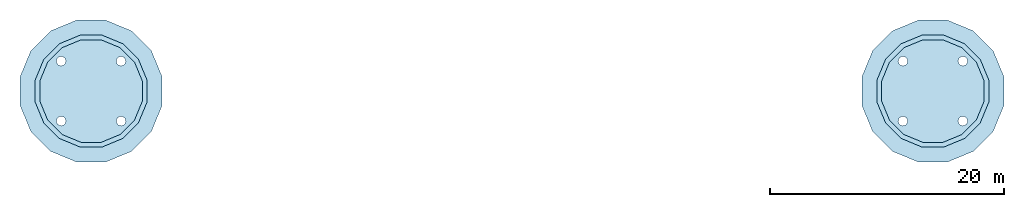
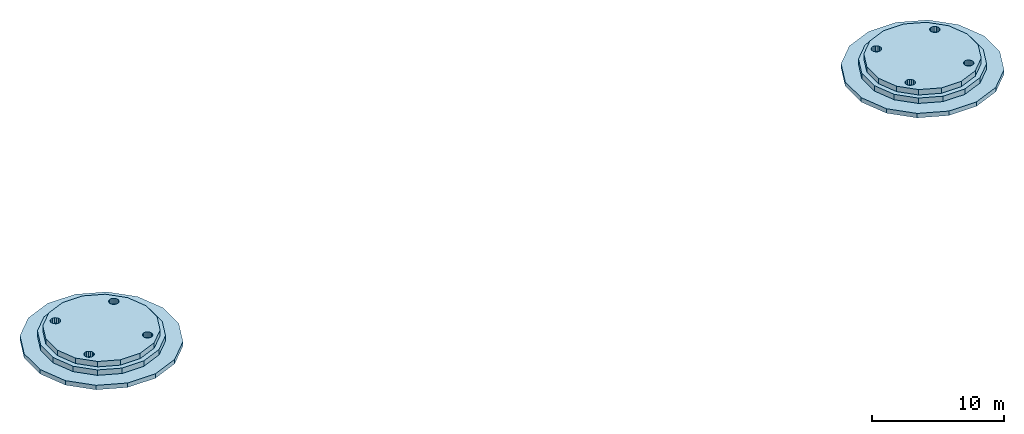
# One storey: 6 slabs.
"""IFC4 building model written with IfcOpenShell, lengths in metres."""

from ifc_helpers import new_model, si_unit, direction, frame, origin, place, context, subcontext, project, spatial, polyline, outline, extrude, material, layer, layer_set, type_object, element, save


model = new_model("IFC4")

# Units and contexts
model_context = context("Model", 3, precision=1e-05, world=origin(), true_north=direction((0.0, 1.0)))
body_context = subcontext(model_context, "Body", "Model", "MODEL_VIEW")
ifc_project = project(units=[si_unit("LENGTHUNIT", "METRE"), si_unit("AREAUNIT", "SQUARE_METRE"), si_unit("VOLUMEUNIT", "CUBIC_METRE"), si_unit("PLANEANGLEUNIT", "RADIAN"), si_unit("MASSUNIT", "GRAM", prefix="KILO")], contexts=[model_context])

# Site, building, storey
site_placement = place(None, origin())
site = spatial("IfcSite", under=ifc_project, at=site_placement, CompositionType="ELEMENT")
building_placement = place(site_placement, origin())
building = spatial("IfcBuilding", under=site, at=building_placement, Name="Ipe Terrace Towers", CompositionType="ELEMENT")
storey_placement = place(building_placement, frame((0.0, 0.0, 272.89990234375)))
storey = spatial("IfcBuildingStorey", under=building, at=storey_placement, Name="Roof crown", CompositionType="ELEMENT", Elevation=272.89990234375)

# Slabs
ifc_material_1 = material(Name="Concrete C30/37", Category="concrete")
ifc_layer_1 = layer(ifc_material_1, 0.409912109375)
ifc_layer_set_1 = layer_set([ifc_layer_1], Name="DRUM ROOF SLAB 410")
slab_type_1 = type_object("IfcSlabType", Name="DRUM ROOF SLAB 410", PredefinedType="ROOF", material=ifc_layer_set_1)
slab_1_placement = place(storey_placement, frame((0.0, 0.0, -0.2998046875)))
element("IfcSlab", 1, at=slab_1_placement, inside=storey, type_object=slab_type_1, Name="T1 drum roof slab", PredefinedType="ROOF", context=body_context, shape_type="SweptSolid", body=[
    extrude(outline(polyline([(-29.9189453125, 1.2099609375), (-30.844970703125, 3.445068359375), (-32.554931640625, 5.155029296875), (-34.7900390625, 6.0810546875), (-37.2099609375, 6.0810546875), (-39.445068359375, 5.155029296875), (-41.155029296875, 3.445068359375), (-42.0810546875, 1.2099609375), (-42.0810546875, -1.2099609375), (-41.155029296875, -3.445068359375), (-39.445068359375, -5.155029296875), (-37.2099609375, -6.0810546875), (-34.7900390625, -6.0810546875), (-32.554931640625, -5.155029296875), (-30.844970703125, -3.445068359375), (-29.9189453125, -1.2099609375), (-29.9189453125, 1.2099609375)]), holes=[polyline([(-38.157958984375, -2.56298828125), (-38.18896484375, -2.407958984375), (-38.277099609375, -2.277099609375), (-38.407958984375, -2.18896484375), (-38.56298828125, -2.157958984375), (-38.718017578125, -2.18896484375), (-38.84912109375, -2.277099609375), (-38.93701171875, -2.407958984375), (-38.968017578125, -2.56298828125), (-38.93701171875, -2.718017578125), (-38.84912109375, -2.84912109375), (-38.718017578125, -2.93701171875), (-38.56298828125, -2.968017578125), (-38.407958984375, -2.93701171875), (-38.277099609375, -2.84912109375), (-38.18896484375, -2.718017578125), (-38.157958984375, -2.56298828125)]), polyline([(-38.157958984375, 2.56298828125), (-38.18896484375, 2.718017578125), (-38.277099609375, 2.84912109375), (-38.407958984375, 2.93701171875), (-38.56298828125, 2.968017578125), (-38.718017578125, 2.93701171875), (-38.84912109375, 2.84912109375), (-38.93701171875, 2.718017578125), (-38.968017578125, 2.56298828125), (-38.93701171875, 2.407958984375), (-38.84912109375, 2.277099609375), (-38.718017578125, 2.18896484375), (-38.56298828125, 2.157958984375), (-38.407958984375, 2.18896484375), (-38.277099609375, 2.277099609375), (-38.18896484375, 2.407958984375), (-38.157958984375, 2.56298828125)]), polyline([(-33.031982421875, -2.56298828125), (-33.06298828125, -2.407958984375), (-33.15087890625, -2.277099609375), (-33.281982421875, -2.18896484375), (-33.43701171875, -2.157958984375), (-33.592041015625, -2.18896484375), (-33.722900390625, -2.277099609375), (-33.81103515625, -2.407958984375), (-33.842041015625, -2.56298828125), (-33.81103515625, -2.718017578125), (-33.722900390625, -2.84912109375), (-33.592041015625, -2.93701171875), (-33.43701171875, -2.968017578125), (-33.281982421875, -2.93701171875), (-33.15087890625, -2.84912109375), (-33.06298828125, -2.718017578125), (-33.031982421875, -2.56298828125)]), polyline([(-33.031982421875, 2.56298828125), (-33.06298828125, 2.718017578125), (-33.15087890625, 2.84912109375), (-33.281982421875, 2.93701171875), (-33.43701171875, 2.968017578125), (-33.592041015625, 2.93701171875), (-33.722900390625, 2.84912109375), (-33.81103515625, 2.718017578125), (-33.842041015625, 2.56298828125), (-33.81103515625, 2.407958984375), (-33.722900390625, 2.277099609375), (-33.592041015625, 2.18896484375), (-33.43701171875, 2.157958984375), (-33.281982421875, 2.18896484375), (-33.15087890625, 2.277099609375), (-33.06298828125, 2.407958984375), (-33.031982421875, 2.56298828125)])]), origin(), (0.0, 0.0, 1.0), 0.409912109375),
])
slab_2_placement = place(storey_placement, frame((0.0, 0.0, -0.2998046875)))
element("IfcSlab", 2, at=slab_2_placement, inside=storey, type_object=slab_type_1, Name="T2 drum roof slab", PredefinedType="ROOF", context=body_context, shape_type="SweptSolid", body=[
    extrude(outline(polyline([(42.0810546875, 1.2099609375), (41.155029296875, 3.445068359375), (39.445068359375, 5.155029296875), (37.2099609375, 6.0810546875), (34.7900390625, 6.0810546875), (32.554931640625, 5.155029296875), (30.844970703125, 3.445068359375), (29.9189453125, 1.2099609375), (29.9189453125, -1.2099609375), (30.844970703125, -3.445068359375), (32.554931640625, -5.155029296875), (34.7900390625, -6.0810546875), (37.2099609375, -6.0810546875), (39.445068359375, -5.155029296875), (41.155029296875, -3.445068359375), (42.0810546875, -1.2099609375), (42.0810546875, 1.2099609375)]), holes=[polyline([(38.968017578125, -2.56298828125), (38.93701171875, -2.407958984375), (38.84912109375, -2.277099609375), (38.718017578125, -2.18896484375), (38.56298828125, -2.157958984375), (38.407958984375, -2.18896484375), (38.277099609375, -2.277099609375), (38.18896484375, -2.407958984375), (38.157958984375, -2.56298828125), (38.18896484375, -2.718017578125), (38.277099609375, -2.84912109375), (38.407958984375, -2.93701171875), (38.56298828125, -2.968017578125), (38.718017578125, -2.93701171875), (38.84912109375, -2.84912109375), (38.93701171875, -2.718017578125), (38.968017578125, -2.56298828125)]), polyline([(33.842041015625, -2.56298828125), (33.81103515625, -2.407958984375), (33.722900390625, -2.277099609375), (33.592041015625, -2.18896484375), (33.43701171875, -2.157958984375), (33.281982421875, -2.18896484375), (33.15087890625, -2.277099609375), (33.06298828125, -2.407958984375), (33.031982421875, -2.56298828125), (33.06298828125, -2.718017578125), (33.15087890625, -2.84912109375), (33.281982421875, -2.93701171875), (33.43701171875, -2.968017578125), (33.592041015625, -2.93701171875), (33.722900390625, -2.84912109375), (33.81103515625, -2.718017578125), (33.842041015625, -2.56298828125)]), polyline([(38.968017578125, 2.56298828125), (38.93701171875, 2.718017578125), (38.84912109375, 2.84912109375), (38.718017578125, 2.93701171875), (38.56298828125, 2.968017578125), (38.407958984375, 2.93701171875), (38.277099609375, 2.84912109375), (38.18896484375, 2.718017578125), (38.157958984375, 2.56298828125), (38.18896484375, 2.407958984375), (38.277099609375, 2.277099609375), (38.407958984375, 2.18896484375), (38.56298828125, 2.157958984375), (38.718017578125, 2.18896484375), (38.84912109375, 2.277099609375), (38.93701171875, 2.407958984375), (38.968017578125, 2.56298828125)]), polyline([(33.842041015625, 2.56298828125), (33.81103515625, 2.718017578125), (33.722900390625, 2.84912109375), (33.592041015625, 2.93701171875), (33.43701171875, 2.968017578125), (33.281982421875, 2.93701171875), (33.15087890625, 2.84912109375), (33.06298828125, 2.718017578125), (33.031982421875, 2.56298828125), (33.06298828125, 2.407958984375), (33.15087890625, 2.277099609375), (33.281982421875, 2.18896484375), (33.43701171875, 2.157958984375), (33.592041015625, 2.18896484375), (33.722900390625, 2.277099609375), (33.81103515625, 2.407958984375), (33.842041015625, 2.56298828125)])]), origin(), (0.0, 0.0, 1.0), 0.409912109375),
])
ifc_material_2 = material(Name="Concrete C40/50", Category="concrete")
ifc_layer_2 = layer(ifc_material_2, 0.5)
ifc_layer_set_2 = layer_set([ifc_layer_2], Name="MAST PLINTH 500")
slab_type_2 = type_object("IfcSlabType", Name="MAST PLINTH 500", PredefinedType="ROOF", material=ifc_layer_set_2)
slab_3_placement = place(storey_placement, frame((0.0, 0.0, 0.110107421875)))
element("IfcSlab", 3, at=slab_3_placement, inside=storey, type_object=slab_type_2, Name="mast plinth step", PredefinedType="ROOF", context=body_context, shape_type="SweptSolid", body=[
    extrude(outline(polyline([(-31.220947265625, 0.950927734375), (-31.947998046875, 2.70703125), (-33.29296875, 4.052001953125), (-35.049072265625, 4.779052734375), (-36.950927734375, 4.779052734375), (-38.70703125, 4.052001953125), (-40.052001953125, 2.70703125), (-40.779052734375, 0.950927734375), (-40.779052734375, -0.950927734375), (-40.052001953125, -2.70703125), (-38.70703125, -4.052001953125), (-36.950927734375, -4.779052734375), (-35.049072265625, -4.779052734375), (-33.29296875, -4.052001953125), (-31.947998046875, -2.70703125), (-31.220947265625, -0.950927734375), (-31.220947265625, 0.950927734375)]), holes=[polyline([(-38.157958984375, -2.56298828125), (-38.18896484375, -2.407958984375), (-38.277099609375, -2.277099609375), (-38.407958984375, -2.18896484375), (-38.56298828125, -2.157958984375), (-38.718017578125, -2.18896484375), (-38.84912109375, -2.277099609375), (-38.93701171875, -2.407958984375), (-38.968017578125, -2.56298828125), (-38.93701171875, -2.718017578125), (-38.84912109375, -2.84912109375), (-38.718017578125, -2.93701171875), (-38.56298828125, -2.968017578125), (-38.407958984375, -2.93701171875), (-38.277099609375, -2.84912109375), (-38.18896484375, -2.718017578125), (-38.157958984375, -2.56298828125)]), polyline([(-38.157958984375, 2.56298828125), (-38.18896484375, 2.718017578125), (-38.277099609375, 2.84912109375), (-38.407958984375, 2.93701171875), (-38.56298828125, 2.968017578125), (-38.718017578125, 2.93701171875), (-38.84912109375, 2.84912109375), (-38.93701171875, 2.718017578125), (-38.968017578125, 2.56298828125), (-38.93701171875, 2.407958984375), (-38.84912109375, 2.277099609375), (-38.718017578125, 2.18896484375), (-38.56298828125, 2.157958984375), (-38.407958984375, 2.18896484375), (-38.277099609375, 2.277099609375), (-38.18896484375, 2.407958984375), (-38.157958984375, 2.56298828125)]), polyline([(-33.031982421875, -2.56298828125), (-33.06298828125, -2.407958984375), (-33.15087890625, -2.277099609375), (-33.281982421875, -2.18896484375), (-33.43701171875, -2.157958984375), (-33.592041015625, -2.18896484375), (-33.722900390625, -2.277099609375), (-33.81103515625, -2.407958984375), (-33.842041015625, -2.56298828125), (-33.81103515625, -2.718017578125), (-33.722900390625, -2.84912109375), (-33.592041015625, -2.93701171875), (-33.43701171875, -2.968017578125), (-33.281982421875, -2.93701171875), (-33.15087890625, -2.84912109375), (-33.06298828125, -2.718017578125), (-33.031982421875, -2.56298828125)]), polyline([(-33.031982421875, 2.56298828125), (-33.06298828125, 2.718017578125), (-33.15087890625, 2.84912109375), (-33.281982421875, 2.93701171875), (-33.43701171875, 2.968017578125), (-33.592041015625, 2.93701171875), (-33.722900390625, 2.84912109375), (-33.81103515625, 2.718017578125), (-33.842041015625, 2.56298828125), (-33.81103515625, 2.407958984375), (-33.722900390625, 2.277099609375), (-33.592041015625, 2.18896484375), (-33.43701171875, 2.157958984375), (-33.281982421875, 2.18896484375), (-33.15087890625, 2.277099609375), (-33.06298828125, 2.407958984375), (-33.031982421875, 2.56298828125)])]), origin(), (0.0, 0.0, 1.0), 0.5),
])
slab_4_placement = place(storey_placement, frame((0.0, 0.0, 0.610107421875)))
element("IfcSlab", 4, at=slab_4_placement, inside=storey, type_object=slab_type_2, Name="mast plinth step", PredefinedType="ROOF", context=body_context, shape_type="SweptSolid", body=[
    extrude(outline(polyline([(-31.62109375, 0.87109375), (-32.2880859375, 2.48095703125), (-33.51904296875, 3.7119140625), (-35.12890625, 4.37890625), (-36.87109375, 4.37890625), (-38.48095703125, 3.7119140625), (-39.7119140625, 2.48095703125), (-40.37890625, 0.87109375), (-40.37890625, -0.87109375), (-39.7119140625, -2.48095703125), (-38.48095703125, -3.7119140625), (-36.87109375, -4.37890625), (-35.12890625, -4.37890625), (-33.51904296875, -3.7119140625), (-32.2880859375, -2.48095703125), (-31.62109375, -0.87109375), (-31.62109375, 0.87109375)]), holes=[polyline([(-38.157958984375, -2.56298828125), (-38.18896484375, -2.407958984375), (-38.277099609375, -2.277099609375), (-38.407958984375, -2.18896484375), (-38.56298828125, -2.157958984375), (-38.718017578125, -2.18896484375), (-38.84912109375, -2.277099609375), (-38.93701171875, -2.407958984375), (-38.968017578125, -2.56298828125), (-38.93701171875, -2.718017578125), (-38.84912109375, -2.84912109375), (-38.718017578125, -2.93701171875), (-38.56298828125, -2.968017578125), (-38.407958984375, -2.93701171875), (-38.277099609375, -2.84912109375), (-38.18896484375, -2.718017578125), (-38.157958984375, -2.56298828125)]), polyline([(-38.157958984375, 2.56298828125), (-38.18896484375, 2.718017578125), (-38.277099609375, 2.84912109375), (-38.407958984375, 2.93701171875), (-38.56298828125, 2.968017578125), (-38.718017578125, 2.93701171875), (-38.84912109375, 2.84912109375), (-38.93701171875, 2.718017578125), (-38.968017578125, 2.56298828125), (-38.93701171875, 2.407958984375), (-38.84912109375, 2.277099609375), (-38.718017578125, 2.18896484375), (-38.56298828125, 2.157958984375), (-38.407958984375, 2.18896484375), (-38.277099609375, 2.277099609375), (-38.18896484375, 2.407958984375), (-38.157958984375, 2.56298828125)]), polyline([(-33.031982421875, -2.56298828125), (-33.06298828125, -2.407958984375), (-33.15087890625, -2.277099609375), (-33.281982421875, -2.18896484375), (-33.43701171875, -2.157958984375), (-33.592041015625, -2.18896484375), (-33.722900390625, -2.277099609375), (-33.81103515625, -2.407958984375), (-33.842041015625, -2.56298828125), (-33.81103515625, -2.718017578125), (-33.722900390625, -2.84912109375), (-33.592041015625, -2.93701171875), (-33.43701171875, -2.968017578125), (-33.281982421875, -2.93701171875), (-33.15087890625, -2.84912109375), (-33.06298828125, -2.718017578125), (-33.031982421875, -2.56298828125)]), polyline([(-33.031982421875, 2.56298828125), (-33.06298828125, 2.718017578125), (-33.15087890625, 2.84912109375), (-33.281982421875, 2.93701171875), (-33.43701171875, 2.968017578125), (-33.592041015625, 2.93701171875), (-33.722900390625, 2.84912109375), (-33.81103515625, 2.718017578125), (-33.842041015625, 2.56298828125), (-33.81103515625, 2.407958984375), (-33.722900390625, 2.277099609375), (-33.592041015625, 2.18896484375), (-33.43701171875, 2.157958984375), (-33.281982421875, 2.18896484375), (-33.15087890625, 2.277099609375), (-33.06298828125, 2.407958984375), (-33.031982421875, 2.56298828125)])]), origin(), (0.0, 0.0, 1.0), 0.5),
])
slab_5_placement = place(storey_placement, frame((0.0, 0.0, 0.110107421875)))
element("IfcSlab", 5, at=slab_5_placement, inside=storey, type_object=slab_type_2, Name="mast plinth step", PredefinedType="ROOF", context=body_context, shape_type="SweptSolid", body=[
    extrude(outline(polyline([(40.779052734375, 0.950927734375), (40.052001953125, 2.70703125), (38.70703125, 4.052001953125), (36.950927734375, 4.779052734375), (35.049072265625, 4.779052734375), (33.29296875, 4.052001953125), (31.947998046875, 2.70703125), (31.220947265625, 0.950927734375), (31.220947265625, -0.950927734375), (31.947998046875, -2.70703125), (33.29296875, -4.052001953125), (35.049072265625, -4.779052734375), (36.950927734375, -4.779052734375), (38.70703125, -4.052001953125), (40.052001953125, -2.70703125), (40.779052734375, -0.950927734375), (40.779052734375, 0.950927734375)]), holes=[polyline([(38.968017578125, -2.56298828125), (38.93701171875, -2.407958984375), (38.84912109375, -2.277099609375), (38.718017578125, -2.18896484375), (38.56298828125, -2.157958984375), (38.407958984375, -2.18896484375), (38.277099609375, -2.277099609375), (38.18896484375, -2.407958984375), (38.157958984375, -2.56298828125), (38.18896484375, -2.718017578125), (38.277099609375, -2.84912109375), (38.407958984375, -2.93701171875), (38.56298828125, -2.968017578125), (38.718017578125, -2.93701171875), (38.84912109375, -2.84912109375), (38.93701171875, -2.718017578125), (38.968017578125, -2.56298828125)]), polyline([(33.842041015625, -2.56298828125), (33.81103515625, -2.407958984375), (33.722900390625, -2.277099609375), (33.592041015625, -2.18896484375), (33.43701171875, -2.157958984375), (33.281982421875, -2.18896484375), (33.15087890625, -2.277099609375), (33.06298828125, -2.407958984375), (33.031982421875, -2.56298828125), (33.06298828125, -2.718017578125), (33.15087890625, -2.84912109375), (33.281982421875, -2.93701171875), (33.43701171875, -2.968017578125), (33.592041015625, -2.93701171875), (33.722900390625, -2.84912109375), (33.81103515625, -2.718017578125), (33.842041015625, -2.56298828125)]), polyline([(38.968017578125, 2.56298828125), (38.93701171875, 2.718017578125), (38.84912109375, 2.84912109375), (38.718017578125, 2.93701171875), (38.56298828125, 2.968017578125), (38.407958984375, 2.93701171875), (38.277099609375, 2.84912109375), (38.18896484375, 2.718017578125), (38.157958984375, 2.56298828125), (38.18896484375, 2.407958984375), (38.277099609375, 2.277099609375), (38.407958984375, 2.18896484375), (38.56298828125, 2.157958984375), (38.718017578125, 2.18896484375), (38.84912109375, 2.277099609375), (38.93701171875, 2.407958984375), (38.968017578125, 2.56298828125)]), polyline([(33.842041015625, 2.56298828125), (33.81103515625, 2.718017578125), (33.722900390625, 2.84912109375), (33.592041015625, 2.93701171875), (33.43701171875, 2.968017578125), (33.281982421875, 2.93701171875), (33.15087890625, 2.84912109375), (33.06298828125, 2.718017578125), (33.031982421875, 2.56298828125), (33.06298828125, 2.407958984375), (33.15087890625, 2.277099609375), (33.281982421875, 2.18896484375), (33.43701171875, 2.157958984375), (33.592041015625, 2.18896484375), (33.722900390625, 2.277099609375), (33.81103515625, 2.407958984375), (33.842041015625, 2.56298828125)])]), origin(), (0.0, 0.0, 1.0), 0.5),
])
slab_6_placement = place(storey_placement, frame((0.0, 0.0, 0.610107421875)))
element("IfcSlab", 6, at=slab_6_placement, inside=storey, type_object=slab_type_2, Name="mast plinth step", PredefinedType="ROOF", context=body_context, shape_type="SweptSolid", body=[
    extrude(outline(polyline([(40.37890625, 0.87109375), (39.7119140625, 2.48095703125), (38.48095703125, 3.7119140625), (36.87109375, 4.37890625), (35.12890625, 4.37890625), (33.51904296875, 3.7119140625), (32.2880859375, 2.48095703125), (31.62109375, 0.87109375), (31.62109375, -0.87109375), (32.2880859375, -2.48095703125), (33.51904296875, -3.7119140625), (35.12890625, -4.37890625), (36.87109375, -4.37890625), (38.48095703125, -3.7119140625), (39.7119140625, -2.48095703125), (40.37890625, -0.87109375), (40.37890625, 0.87109375)]), holes=[polyline([(38.968017578125, -2.56298828125), (38.93701171875, -2.407958984375), (38.84912109375, -2.277099609375), (38.718017578125, -2.18896484375), (38.56298828125, -2.157958984375), (38.407958984375, -2.18896484375), (38.277099609375, -2.277099609375), (38.18896484375, -2.407958984375), (38.157958984375, -2.56298828125), (38.18896484375, -2.718017578125), (38.277099609375, -2.84912109375), (38.407958984375, -2.93701171875), (38.56298828125, -2.968017578125), (38.718017578125, -2.93701171875), (38.84912109375, -2.84912109375), (38.93701171875, -2.718017578125), (38.968017578125, -2.56298828125)]), polyline([(33.842041015625, -2.56298828125), (33.81103515625, -2.407958984375), (33.722900390625, -2.277099609375), (33.592041015625, -2.18896484375), (33.43701171875, -2.157958984375), (33.281982421875, -2.18896484375), (33.15087890625, -2.277099609375), (33.06298828125, -2.407958984375), (33.031982421875, -2.56298828125), (33.06298828125, -2.718017578125), (33.15087890625, -2.84912109375), (33.281982421875, -2.93701171875), (33.43701171875, -2.968017578125), (33.592041015625, -2.93701171875), (33.722900390625, -2.84912109375), (33.81103515625, -2.718017578125), (33.842041015625, -2.56298828125)]), polyline([(38.968017578125, 2.56298828125), (38.93701171875, 2.718017578125), (38.84912109375, 2.84912109375), (38.718017578125, 2.93701171875), (38.56298828125, 2.968017578125), (38.407958984375, 2.93701171875), (38.277099609375, 2.84912109375), (38.18896484375, 2.718017578125), (38.157958984375, 2.56298828125), (38.18896484375, 2.407958984375), (38.277099609375, 2.277099609375), (38.407958984375, 2.18896484375), (38.56298828125, 2.157958984375), (38.718017578125, 2.18896484375), (38.84912109375, 2.277099609375), (38.93701171875, 2.407958984375), (38.968017578125, 2.56298828125)]), polyline([(33.842041015625, 2.56298828125), (33.81103515625, 2.718017578125), (33.722900390625, 2.84912109375), (33.592041015625, 2.93701171875), (33.43701171875, 2.968017578125), (33.281982421875, 2.93701171875), (33.15087890625, 2.84912109375), (33.06298828125, 2.718017578125), (33.031982421875, 2.56298828125), (33.06298828125, 2.407958984375), (33.15087890625, 2.277099609375), (33.281982421875, 2.18896484375), (33.43701171875, 2.157958984375), (33.592041015625, 2.18896484375), (33.722900390625, 2.277099609375), (33.81103515625, 2.407958984375), (33.842041015625, 2.56298828125)])]), origin(), (0.0, 0.0, 1.0), 0.5),
])

save(model, "model.ifc")
